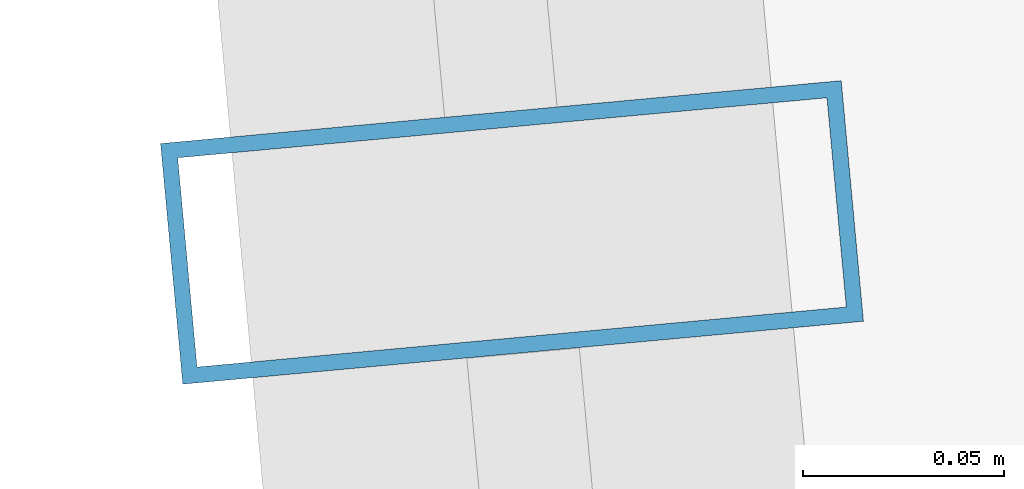
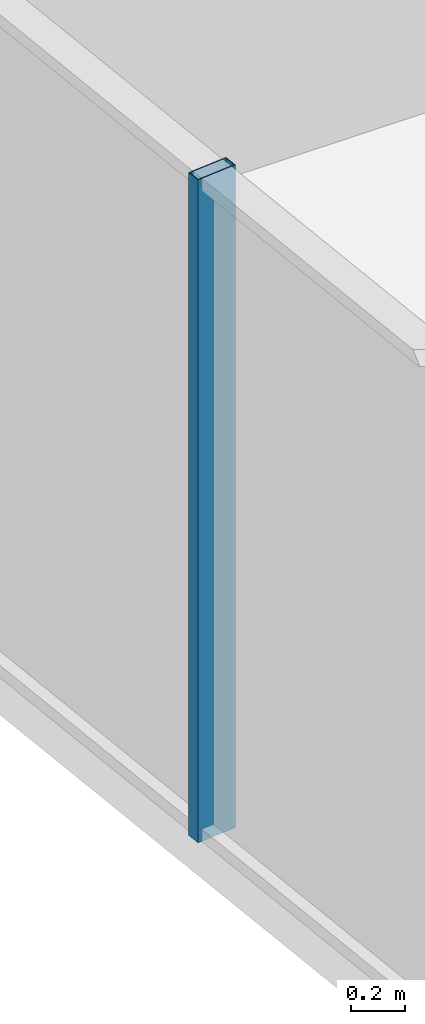
# One storey, part 9 of 33: 1 member, 1 element without a shape of its own.
"""IFC4 building model written with IfcOpenShell, lengths in metres."""

from ifc_helpers import new_model, si_unit, direction, frame, origin, origin_2d, place, context, subcontext, project, spatial, hollow_rectangle, extrude, source, transform, mapped, material, layer, layer_set, material_profile, profile_set, type_object, element, aggregate, save


model = new_model("IFC4")

# Units and contexts
model_context = context("Model", 3, precision=1e-05, world=origin(), true_north=direction((0.0, 1.0)))
body_context = subcontext(model_context, "Body", "Model", "MODEL_VIEW")
ifc_project = project(units=[si_unit("LENGTHUNIT", "METRE"), si_unit("AREAUNIT", "SQUARE_METRE"), si_unit("VOLUMEUNIT", "CUBIC_METRE"), si_unit("PLANEANGLEUNIT", "RADIAN"), si_unit("MASSUNIT", "GRAM", prefix="KILO")], contexts=[model_context])

# Site, building, storey
site_placement = place(None, origin())
site = spatial("IfcSite", under=ifc_project, at=site_placement, CompositionType="ELEMENT")
building_placement = place(site_placement, origin())
building = spatial("IfcBuilding", under=site, at=building_placement, Name="Veraguas Prism Commons", CompositionType="ELEMENT")
storey_placement = place(building_placement, frame((0.0, 0.0, 145.75)))
storey = spatial("IfcBuildingStorey", under=building, at=storey_placement, Name="L41", CompositionType="ELEMENT", Elevation=145.75)

# Curtain wall, member
ifc_material = material(Name="Anodised aluminium EN AW-6063 T6", Category="aluminium")
ifc_layer = layer(ifc_material, 0.169921875, Name="Unitised Flush Curtain Wall Zone 2", Category="aluminium")
ifc_layer_set = layer_set([ifc_layer], Name="Anodised aluminium EN AW-6063 T6")
curtain_wall_type = type_object("IfcCurtainWallType", Name="Unitised Flush Curtain Wall Zone 2", PredefinedType="NOTDEFINED", material=ifc_layer_set)
curtain_wall_placement = place(storey_placement, origin())
curtain_wall = element("IfcCurtainWall", 1, at=curtain_wall_placement, inside=storey, type_object=curtain_wall_type, Name="Tower Facade Curtain Wall L41-F3", PredefinedType="NOTDEFINED")
ifc_material_profile = material_profile(ifc_material, hollow_rectangle(XDim=0.06005859375, YDim=0.169921875, WallThickness=0.00390625, at=origin_2d()), Name="AL60X170X4")
ifc_profile_set = profile_set([ifc_material_profile], Name="Anodised aluminium EN AW-6063 T6")
member_type = type_object("IfcMemberType", Name="Curtain Wall Mullion Lower AL 60x170x4", PredefinedType="MULLION", material=ifc_profile_set)
shared_shape = source(origin(), body_context, "Body", "SweptSolid", [
    extrude(hollow_rectangle(XDim=0.06005859375, YDim=0.169921875, WallThickness=0.00390625, at=origin_2d()), origin(), (0.0, 0.0, 1.0), 3.0),
])
member_placement = place(storey_placement, frame((4.89892578125, 22.23486328125, 0.0), z_axis=(0.0, 0.0, 1.0), x_axis=(0.092024746261, -0.995756720327, 0.0)))
member = element("IfcMember", 2, at=member_placement, type_object=member_type, Name="CW-Z2 Mullion 3", PredefinedType="MULLION", context=body_context, shape_type="MappedRepresentation", body=[
    mapped(shared_shape, transform((0.0, 0.0, 0.0), scale=1.0)),
])
aggregate(curtain_wall, [member])

save(model, "model.ifc")
